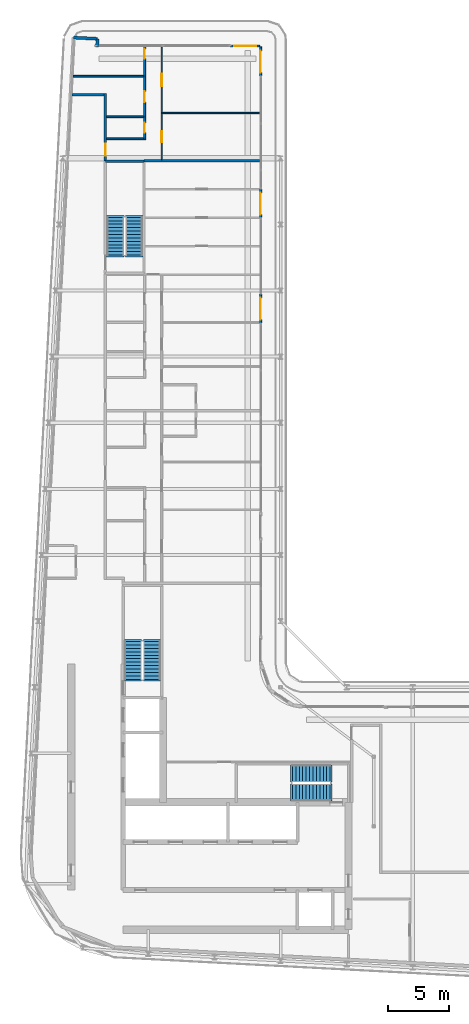
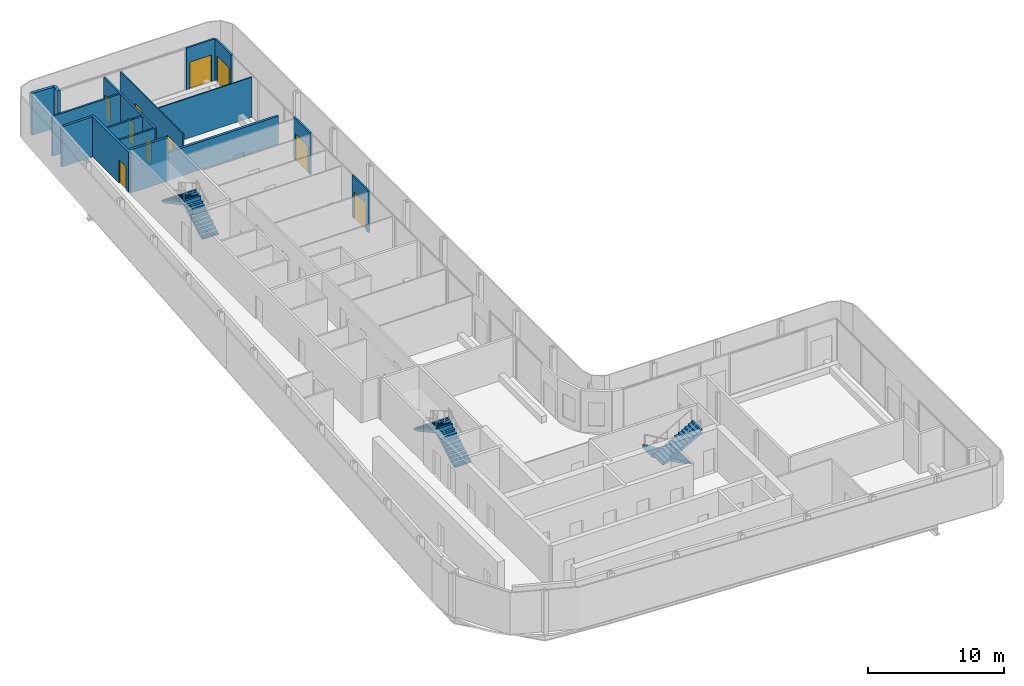
# One storey, part 14 of 20: 16 walls, 10 doors, 6 stair flights, 10 openings, 3 elements without a shape of their own.
"""IFC4 building model written with IfcOpenShell, lengths in metres."""

from ifc_helpers import new_model, si_unit, direction, frame, frame_2d, origin, place, context, subcontext, project, spatial, polyline, rectangle, outline, extrude, source, transform, mapped, material, layer, layer_set, type_object, element, fill, aggregate, save


model = new_model("IFC4")

# Units and contexts
model_context = context("Model", 3, precision=1e-05, world=origin(), true_north=direction((0.0, 1.0)))
body_context = subcontext(model_context, "Body", "Model", "MODEL_VIEW")
ifc_project = project(units=[si_unit("LENGTHUNIT", "METRE"), si_unit("AREAUNIT", "SQUARE_METRE"), si_unit("VOLUMEUNIT", "CUBIC_METRE"), si_unit("PLANEANGLEUNIT", "RADIAN"), si_unit("MASSUNIT", "GRAM", prefix="KILO")], contexts=[model_context])

# Site, building, storey
site_placement = place(None, origin())
site = spatial("IfcSite", under=ifc_project, at=site_placement, CompositionType="ELEMENT")
building_placement = place(site_placement, origin())
building = spatial("IfcBuilding", under=site, at=building_placement, Name="Kheshtan School and Residences Tower", CompositionType="ELEMENT")
storey_placement = place(building_placement, frame((0.0, 0.0, 286.39990234375)))
storey = spatial("IfcBuildingStorey", under=building, at=storey_placement, Name="L67", CompositionType="ELEMENT", Elevation=286.39990234375)

# Wall
ifc_material_1 = material(Name="Gypsum board on steel studs with fire boards", Category="steel")
ifc_layer_1 = layer(ifc_material_1, 0.199951171875)
ifc_layer_set_1 = layer_set([ifc_layer_1], Name="Corridor wall 200")
wall_type_1 = type_object("IfcWallType", Name="Corridor wall 200", PredefinedType="PARTITIONING", material=ifc_layer_set_1)
wall_1_placement = place(storey_placement, frame((30.584716796875, 94.0, 0.0), z_axis=(0.0, 0.0, 1.0), x_axis=(1.0, 0.0, 0.0)))
element("IfcWall", 1, at=wall_1_placement, inside=storey, type_object=wall_type_1, Name="Partition L67-002", PredefinedType="PARTITIONING", context=body_context, shape_type="SweptSolid", body=[
    extrude(rectangle(XDim=2.615234375, YDim=0.199951171875, at=frame_2d((1.3076171875, 0.0))), origin(), (0.0, 0.0, 1.0), 3.60009765625),
])

# Wall, opening, door
wall_2_placement = place(storey_placement, frame((33.300048828125, 88.60009765625, 0.0), z_axis=(0.0, 0.0, 1.0), x_axis=(0.0, 1.0, 0.0)))
wall_2 = element("IfcWall", 2, at=wall_2_placement, inside=storey, type_object=wall_type_1, Name="Partition L67-004", PredefinedType="PARTITIONING", context=body_context, shape_type="SweptSolid", body=[
    extrude(rectangle(XDim=5.5, YDim=0.199951171875, at=frame_2d((2.75, 0.0))), origin(), (0.0, 0.0, 1.0), 3.60009765625),
])
opening_1_placement = place(wall_2_placement, frame((0.39990234375, 0.0, 0.0)))
opening_1 = element("IfcOpeningElement", 3, at=opening_1_placement, cuts=wall_2, Name="Opening D66-023", PredefinedType="OPENING", context=body_context, shape_type="SweptSolid", body=[
    extrude(rectangle(XDim=1.0, YDim=2.10009765625, at=frame_2d((0.5, 1.050048828125))), frame((0.0, 0.10986328125, 0.0), z_axis=(0.0, -1.0, 0.0), x_axis=(1.0, 0.0, 0.0)), (0.0, 0.0, 1.0), 0.219970703125),
])
ifc_material_2 = material(Name="Steel-framed fire-resisting door leaf", Category="steel")
door_type_1 = type_object("IfcDoorType", Name="Fire door FD30S 1000 x 2100", OperationType="SINGLE_SWING_LEFT", PredefinedType="DOOR", material=ifc_material_2)
shared_shape_1 = source(origin(), body_context, "Body", "SweptSolid", [
    extrude(rectangle(XDim=1.0, YDim=2.10009765625, at=frame_2d((0.5, 1.050048828125))), frame((0.0, 0.02490234375, 0.0), z_axis=(0.0, -1.0, 0.0), x_axis=(1.0, 0.0, 0.0)), (0.0, 0.0, 1.0), 0.050048828125),
])
door_1_placement = place(opening_1_placement, origin())
door_1 = element("IfcDoor", 4, at=door_1_placement, inside=storey, type_object=door_type_1, Name="Door D66-023", OperationType="SINGLE_SWING_LEFT", OverallHeight=2.10009765625, OverallWidth=1.0, PredefinedType="DOOR", context=body_context, shape_type="MappedRepresentation", body=[
    mapped(shared_shape_1, transform((0.0, 0.0, 0.0), x_axis=(1.0, 0.0, 0.0), y_axis=(0.0, 1.0, 0.0), z_axis=(0.0, 0.0, 1.0), scale=1.0)),
])
fill(opening_1, door_1)

# Walls
ifc_material_3 = material(Name="Concrete C40/50 with ceramic cladding and mineral wool insulation", Category="concrete")
ifc_layer_2 = layer(ifc_material_3, 0.25)
ifc_layer_set_2 = layer_set([ifc_layer_2], Name="External wall 250 ceramic clad")
wall_type_2 = type_object("IfcWallType", Name="External wall 250 ceramic clad", PredefinedType="SOLIDWALL", material=ifc_layer_set_2)
wall_3_placement = place(storey_placement, frame((30.705078125, 98.6640625, 0.0), z_axis=(0.0, 0.0, 1.0), x_axis=(0.998577785791, -0.053314216913, 0.0)))
element("IfcWall", 5, at=wall_3_placement, inside=storey, type_object=wall_type_2, Name="External wall L67 5", PredefinedType="SOLIDWALL", context=body_context, shape_type="SweptSolid", body=[
    extrude(rectangle(XDim=1.95068359375, YDim=0.25, at=frame_2d((0.975341796875, 0.0))), origin(), (0.0, 0.0, 1.0), 3.75),
])
wall_4_placement = place(storey_placement, frame((32.653076171875, 98.56005859375, 0.0), z_axis=(0.0, 0.0, 1.0), x_axis=(-0.054093451632, -0.998535877418, 0.0)))
element("IfcWall", 6, at=wall_4_placement, inside=storey, type_object=wall_type_2, Name="External wall L67 6", PredefinedType="SOLIDWALL", context=body_context, shape_type="SweptSolid", body=[
    extrude(rectangle(XDim=0.66796875, YDim=0.25, at=frame_2d((0.333984375, 0.0))), origin(), (0.0, 0.0, 1.0), 3.75),
])

# Wall, opening, door
ifc_material_4 = material(Name="Aluminium frame wall with insulated infill", Category="aluminium")
ifc_layer_3 = layer(ifc_material_4, 0.14990234375)
ifc_layer_set_3 = layer_set([ifc_layer_3], Name="Glazing frame wall 150")
wall_type_3 = type_object("IfcWallType", Name="Glazing frame wall 150", PredefinedType="SOLIDWALL", material=ifc_layer_set_3)
wall_5_placement = place(storey_placement, frame((43.5, 97.97509765625, 0.0), z_axis=(0.0, 0.0, 1.0), x_axis=(1.0, 0.0, 0.0)))
wall_5 = element("IfcWall", 7, at=wall_5_placement, inside=storey, type_object=wall_type_3, Name="Balcony door wall L67 7.1", PredefinedType="SOLIDWALL", context=body_context, shape_type="SweptSolid", body=[
    extrude(rectangle(XDim=2.39990234375, YDim=0.14990234375, at=frame_2d((1.199951171875, 0.0))), origin(), (0.0, 0.0, 1.0), 3.75),
])
opening_2_placement = place(wall_5_placement, frame((0.300048828125, 0.0, 0.0)))
opening_2 = element("IfcOpeningElement", 8, at=opening_2_placement, cuts=wall_5, Name="Opening BD", PredefinedType="OPENING", context=body_context, shape_type="SweptSolid", body=[
    extrude(rectangle(XDim=1.800048828125, YDim=2.39990234375, at=frame_2d((0.89990234375, 1.199951171875))), frame((0.0, 0.0849609375, 0.0), z_axis=(0.0, -1.0, 0.0), x_axis=(1.0, 0.0, 0.0)), (0.0, 0.0, 1.0), 0.169921875),
])
ifc_material_5 = material(Name="Clear low-e glass in thermally broken aluminium frame", Category="aluminium")
door_type_2 = type_object("IfcDoorType", Name="Balcony sliding door", OperationType="SLIDING_TO_LEFT", PredefinedType="DOOR", material=ifc_material_5)
shared_shape_2 = source(origin(), body_context, "Body", "SweptSolid", [
    extrude(rectangle(XDim=1.800048828125, YDim=2.39990234375, at=frame_2d((0.89990234375, 1.199951171875))), frame((0.0, 0.02490234375, 0.0), z_axis=(0.0, -1.0, 0.0), x_axis=(1.0, 0.0, 0.0)), (0.0, 0.0, 1.0), 0.050048828125),
])
door_2_placement = place(opening_2_placement, origin())
door_2 = element("IfcDoor", 9, at=door_2_placement, inside=storey, type_object=door_type_2, Name="Balcony door L67 7.1", OperationType="SLIDING_TO_LEFT", OverallHeight=2.39990234375, OverallWidth=1.800048828125, PredefinedType="DOOR", context=body_context, shape_type="MappedRepresentation", body=[
    mapped(shared_shape_2, transform((0.0, 0.0, 0.0), x_axis=(1.0, 0.0, 0.0), y_axis=(0.0, 1.0, 0.0), z_axis=(0.0, 0.0, 1.0), scale=1.0)),
])
fill(opening_2, door_2)

wall_6_placement = place(storey_placement, frame((45.97509765625, 97.89990234375, 0.0), z_axis=(0.0, 0.0, 1.0), x_axis=(0.0, -1.0, 0.0)))
wall_6 = element("IfcWall", 10, at=wall_6_placement, inside=storey, type_object=wall_type_3, Name="Balcony door wall L67 8.1", PredefinedType="SOLIDWALL", context=body_context, shape_type="SweptSolid", body=[
    extrude(rectangle(XDim=2.39990234375, YDim=0.14990234375, at=frame_2d((1.199951171875, 0.0))), origin(), (0.0, 0.0, 1.0), 3.75),
])
opening_3_placement = place(wall_6_placement, frame((0.300048828125, 0.0, 0.0)))
opening_3 = element("IfcOpeningElement", 11, at=opening_3_placement, cuts=wall_6, Name="Opening BD", PredefinedType="OPENING", context=body_context, shape_type="SweptSolid", body=[
    extrude(rectangle(XDim=1.800048828125, YDim=2.39990234375, at=frame_2d((0.89990234375, 1.199951171875))), frame((0.0, 0.0849609375, 0.0), z_axis=(0.0, -1.0, 0.0), x_axis=(1.0, 0.0, 0.0)), (0.0, 0.0, 1.0), 0.169921875),
])
door_3_placement = place(opening_3_placement, origin())
door_3 = element("IfcDoor", 12, at=door_3_placement, inside=storey, type_object=door_type_2, Name="Balcony door L67 8.1", OperationType="SLIDING_TO_LEFT", OverallHeight=2.39990234375, OverallWidth=1.800048828125, PredefinedType="DOOR", context=body_context, shape_type="MappedRepresentation", body=[
    mapped(shared_shape_2, transform((0.0, 0.0, 0.0), x_axis=(1.0, 0.0, 0.0), y_axis=(0.0, 1.0, 0.0), z_axis=(0.0, 0.0, 1.0), scale=1.0)),
])
fill(opening_3, door_3)

wall_7_placement = place(storey_placement, frame((45.97509765625, 86.305908203125, 0.0), z_axis=(0.0, 0.0, 1.0), x_axis=(0.0, -1.0, 0.0)))
wall_7 = element("IfcWall", 13, at=wall_7_placement, inside=storey, type_object=wall_type_3, Name="Balcony door wall L67 8.2", PredefinedType="SOLIDWALL", context=body_context, shape_type="SweptSolid", body=[
    extrude(rectangle(XDim=2.39990234375, YDim=0.14990234375, at=frame_2d((1.199951171875, 0.0))), origin(), (0.0, 0.0, 1.0), 3.75),
])
opening_4_placement = place(wall_7_placement, frame((0.300048828125, 0.0, 0.0)))
opening_4 = element("IfcOpeningElement", 14, at=opening_4_placement, cuts=wall_7, Name="Opening BD", PredefinedType="OPENING", context=body_context, shape_type="SweptSolid", body=[
    extrude(rectangle(XDim=1.800048828125, YDim=2.39990234375, at=frame_2d((0.89990234375, 1.199951171875))), frame((0.0, 0.0849609375, 0.0), z_axis=(0.0, -1.0, 0.0), x_axis=(1.0, 0.0, 0.0)), (0.0, 0.0, 1.0), 0.169921875),
])
door_4_placement = place(opening_4_placement, origin())
door_4 = element("IfcDoor", 15, at=door_4_placement, inside=storey, type_object=door_type_2, Name="Balcony door L67 8.2", OperationType="SLIDING_TO_LEFT", OverallHeight=2.39990234375, OverallWidth=1.800048828125, PredefinedType="DOOR", context=body_context, shape_type="MappedRepresentation", body=[
    mapped(shared_shape_2, transform((0.0, 0.0, 0.0), x_axis=(1.0, 0.0, 0.0), y_axis=(0.0, 1.0, 0.0), z_axis=(0.0, 0.0, 1.0), scale=1.0)),
])
fill(opening_4, door_4)

wall_8_placement = place(storey_placement, frame((45.97509765625, 77.7119140625, 0.0), z_axis=(0.0, 0.0, 1.0), x_axis=(0.0, -1.0, 0.0)))
wall_8 = element("IfcWall", 16, at=wall_8_placement, inside=storey, type_object=wall_type_3, Name="Balcony door wall L67 8.3", PredefinedType="SOLIDWALL", context=body_context, shape_type="SweptSolid", body=[
    extrude(rectangle(XDim=2.39990234375, YDim=0.14990234375, at=frame_2d((1.199951171875, 0.0))), origin(), (0.0, 0.0, 1.0), 3.75),
])
opening_5_placement = place(wall_8_placement, frame((0.300048828125, 0.0, 0.0)))
opening_5 = element("IfcOpeningElement", 17, at=opening_5_placement, cuts=wall_8, Name="Opening BD", PredefinedType="OPENING", context=body_context, shape_type="SweptSolid", body=[
    extrude(rectangle(XDim=1.800048828125, YDim=2.39990234375, at=frame_2d((0.89990234375, 1.199951171875))), frame((0.0, 0.0849609375, 0.0), z_axis=(0.0, -1.0, 0.0), x_axis=(1.0, 0.0, 0.0)), (0.0, 0.0, 1.0), 0.169921875),
])
door_5_placement = place(opening_5_placement, origin())
door_5 = element("IfcDoor", 18, at=door_5_placement, inside=storey, type_object=door_type_2, Name="Balcony door L67 8.3", OperationType="SLIDING_TO_LEFT", OverallHeight=2.39990234375, OverallWidth=1.800048828125, PredefinedType="DOOR", context=body_context, shape_type="MappedRepresentation", body=[
    mapped(shared_shape_2, transform((0.0, 0.0, 0.0), x_axis=(1.0, 0.0, 0.0), y_axis=(0.0, 1.0, 0.0), z_axis=(0.0, 0.0, 1.0), scale=1.0)),
])
fill(opening_5, door_5)

# Wall, openings, doors
ifc_material_6 = material(Name="Gypsum board on steel studs", Category="steel")
ifc_layer_4 = layer(ifc_material_6, 0.10009765625)
ifc_layer_set_4 = layer_set([ifc_layer_4], Name="Gypsum partition 100")
wall_type_4 = type_object("IfcWallType", Name="Gypsum partition 100", PredefinedType="PARTITIONING", material=ifc_layer_set_4)
wall_9_placement = place(storey_placement, frame((37.89990234375, 88.699951171875, 0.0), z_axis=(0.0, 0.0, 1.0), x_axis=(0.0, 1.0, 0.0)))
wall_9 = element("IfcWall", 19, at=wall_9_placement, inside=storey, type_object=wall_type_4, Name="Partition L67-028", PredefinedType="PARTITIONING", context=body_context, shape_type="SweptSolid", body=[
    extrude(rectangle(XDim=9.199951171875, YDim=0.10009765625, at=frame_2d((4.60009765625, 0.0))), origin(), (0.0, 0.0, 1.0), 3.60009765625),
])
opening_6_placement = place(wall_9_placement, frame((1.39990234375, 0.0, 0.0)))
opening_6 = element("IfcOpeningElement", 20, at=opening_6_placement, cuts=wall_9, Name="Opening D66-022", PredefinedType="OPENING", context=body_context, shape_type="SweptSolid", body=[
    extrude(rectangle(XDim=0.89990234375, YDim=2.10009765625, at=frame_2d((0.449951171875, 1.050048828125))), frame((0.0, 0.06005859375, 0.0), z_axis=(0.0, -1.0, 0.0), x_axis=(1.0, 0.0, 0.0)), (0.0, 0.0, 1.0), 0.1201171875),
])
opening_7_placement = place(wall_9_placement, frame((6.0, 0.0, 0.0)))
opening_7 = element("IfcOpeningElement", 21, at=opening_7_placement, cuts=wall_9, Name="Opening D66-025", PredefinedType="OPENING", context=body_context, shape_type="SweptSolid", body=[
    extrude(rectangle(XDim=1.0, YDim=2.10009765625, at=frame_2d((0.5, 1.050048828125))), frame((0.0, 0.06005859375, 0.0), z_axis=(0.0, -1.0, 0.0), x_axis=(1.0, 0.0, 0.0)), (0.0, 0.0, 1.0), 0.1201171875),
])
ifc_material_7 = material(Name="Veneered timber door leaf", Category="wood")
door_type_3 = type_object("IfcDoorType", Name="Door 1000 x 2100", OperationType="SINGLE_SWING_LEFT", PredefinedType="DOOR", material=ifc_material_7)
shared_shape_3 = source(origin(), body_context, "Body", "SweptSolid", [
    extrude(rectangle(XDim=1.0, YDim=2.10009765625, at=frame_2d((0.5, 1.050048828125))), frame((0.0, 0.02490234375, 0.0), z_axis=(0.0, -1.0, 0.0), x_axis=(1.0, 0.0, 0.0)), (0.0, 0.0, 1.0), 0.050048828125),
])
door_6_placement = place(opening_7_placement, origin())
door_6 = element("IfcDoor", 22, at=door_6_placement, inside=storey, type_object=door_type_3, Name="Door D66-025", OperationType="SINGLE_SWING_RIGHT", OverallHeight=2.10009765625, OverallWidth=1.0, PredefinedType="DOOR", context=body_context, shape_type="MappedRepresentation", body=[
    mapped(shared_shape_3, transform((0.0, 0.0, 0.0), x_axis=(1.0, 0.0, 0.0), y_axis=(0.0, 1.0, 0.0), z_axis=(0.0, 0.0, 1.0), scale=1.0)),
])
fill(opening_7, door_6)
door_type_4 = type_object("IfcDoorType", Name="Door 900 x 2100", OperationType="SINGLE_SWING_LEFT", PredefinedType="DOOR", material=ifc_material_7)
shared_shape_4 = source(origin(), body_context, "Body", "SweptSolid", [
    extrude(rectangle(XDim=0.89990234375, YDim=2.10009765625, at=frame_2d((0.449951171875, 1.050048828125))), frame((0.0, 0.02490234375, 0.0), z_axis=(0.0, -1.0, 0.0), x_axis=(1.0, 0.0, 0.0)), (0.0, 0.0, 1.0), 0.050048828125),
])
door_7_placement = place(opening_6_placement, origin())
door_7 = element("IfcDoor", 23, at=door_7_placement, inside=storey, type_object=door_type_4, Name="Door D66-022", OperationType="SINGLE_SWING_LEFT", OverallHeight=2.10009765625, OverallWidth=0.89990234375, PredefinedType="DOOR", context=body_context, shape_type="MappedRepresentation", body=[
    mapped(shared_shape_4, transform((0.0, 0.0, 0.0), x_axis=(1.0, 0.0, 0.0), y_axis=(0.0, 1.0, 0.0), z_axis=(0.0, 0.0, 1.0), scale=1.0)),
])
fill(opening_6, door_7)

# Walls
wall_10_placement = place(storey_placement, frame((37.949951171875, 92.5, 0.0), z_axis=(0.0, 0.0, 1.0), x_axis=(1.0, 0.0, 0.0)))
element("IfcWall", 24, at=wall_10_placement, inside=storey, type_object=wall_type_4, Name="Partition L67-029", PredefinedType="PARTITIONING", context=body_context, shape_type="SweptSolid", body=[
    extrude(rectangle(XDim=7.949951171875, YDim=0.10009765625, at=frame_2d((3.97509765625, 0.0))), origin(), (0.0, 0.0, 1.0), 3.60009765625),
])
ifc_material_8 = material(Name="Concrete C40/50", Category="concrete")
ifc_layer_5 = layer(ifc_material_8, 0.199951171875)
ifc_layer_set_5 = layer_set([ifc_layer_5], Name="Stair enclosure wall 200 Concrete C40/50")
wall_type_5 = type_object("IfcWallType", Name="Stair enclosure wall 200 Concrete C40/50", PredefinedType="SHEAR", material=ifc_layer_set_5)
wall_11_placement = place(storey_placement, frame((33.300048828125, 88.56005859375, 0.0), z_axis=(0.0, 0.0, 1.0), x_axis=(1.0, 0.0, 0.0)))
element("IfcWall", 25, at=wall_11_placement, inside=storey, type_object=wall_type_5, Name="Stair enclosure wall ST3", PredefinedType="SHEAR", context=body_context, shape_type="SweptSolid", body=[
    extrude(rectangle(XDim=3.14990234375, YDim=0.199951171875, at=frame_2d((1.574951171875, 0.0))), origin(), (0.0, 0.0, 1.0), 3.900146484375),
])
ifc_material_9 = material(Name="Twin gypsum board on steel studs with mineral wool", Category="steel")
ifc_layer_6 = layer(ifc_material_9, 0.199951171875)
ifc_layer_set_6 = layer_set([ifc_layer_6], Name="Unit demising wall 200")
wall_type_6 = type_object("IfcWallType", Name="Unit demising wall 200", PredefinedType="PARTITIONING", material=ifc_layer_set_6)
wall_12_placement = place(storey_placement, frame((36.449951171875, 88.60009765625, 0.0), z_axis=(0.0, 0.0, 1.0), x_axis=(1.0, 0.0, 0.0)))
element("IfcWall", 26, at=wall_12_placement, inside=storey, type_object=wall_type_6, Name="Partition L67-021", PredefinedType="PARTITIONING", context=body_context, shape_type="SweptSolid", body=[
    extrude(rectangle(XDim=9.449951171875, YDim=0.199951171875, at=frame_2d((4.72509765625, 0.0))), origin(), (0.0, 0.0, 1.0), 2.5),
])
ifc_material_10 = material(Name="Moisture-resistant gypsum board on steel studs", Category="steel")
ifc_layer_7 = layer(ifc_material_10, 0.14990234375)
ifc_layer_set_7 = layer_set([ifc_layer_7], Name="Wet-room partition 150")
wall_type_7 = type_object("IfcWallType", Name="Wet-room partition 150", PredefinedType="PARTITIONING", material=ifc_layer_set_7)
wall_13_placement = place(storey_placement, frame((30.6640625, 95.5, 0.0), z_axis=(0.0, 0.0, 1.0), x_axis=(1.0, 0.0, 0.0)))
element("IfcWall", 27, at=wall_13_placement, inside=storey, type_object=wall_type_7, Name="Partition L67-001", PredefinedType="PARTITIONING", context=body_context, shape_type="SweptSolid", body=[
    extrude(rectangle(XDim=5.760986328125, YDim=0.14990234375, at=frame_2d((2.88037109375, 0.0))), origin(), (0.0, 0.0, 1.0), 3.60009765625),
])
for number, where, z_axis, x_axis, name in (
    (28, (33.39990234375, 90.39990234375, 0.0), (0.0, 0.0, 1.0), (1.0, 0.0, 0.0), "Partition L67-014"),
    (29, (33.39990234375, 92.199951171875, 0.0), (0.0, 0.0, 1.0), (1.0, 0.0, 0.0), "Partition L67-015"),
):
    element("IfcWall", number, at=place(storey_placement, frame(where, z_axis=z_axis, x_axis=x_axis)), inside=storey, type_object=wall_type_7, Name=name, PredefinedType="PARTITIONING", context=body_context, shape_type="SweptSolid", body=[
        extrude(rectangle(XDim=3.025146484375, YDim=0.14990234375, at=frame_2d((1.5126953125, 0.0))), origin(), (0.0, 0.0, 1.0), 3.60009765625),
    ])

# Wall, openings, doors
wall_14_placement = place(storey_placement, frame((36.5, 90.324951171875, 0.0), z_axis=(0.0, 0.0, 1.0), x_axis=(0.0, 1.0, 0.0)))
wall_14 = element("IfcWall", 30, at=wall_14_placement, inside=storey, type_object=wall_type_7, Name="Partition L67-022", PredefinedType="PARTITIONING", context=body_context, shape_type="SweptSolid", body=[
    extrude(rectangle(XDim=7.574951171875, YDim=0.14990234375, at=frame_2d((3.78759765625, 0.0))), origin(), (0.0, 0.0, 1.0), 3.60009765625),
])
opening_8_placement = place(wall_14_placement, frame((6.625, 0.0, 0.0)))
opening_8 = element("IfcOpeningElement", 31, at=opening_8_placement, cuts=wall_14, Name="Opening D66-021", PredefinedType="OPENING", context=body_context, shape_type="SweptSolid", body=[
    extrude(rectangle(XDim=0.800048828125, YDim=2.10009765625, at=frame_2d((0.39990234375, 1.050048828125))), frame((0.0, 0.0849609375, 0.0), z_axis=(0.0, -1.0, 0.0), x_axis=(1.0, 0.0, 0.0)), (0.0, 0.0, 1.0), 0.169921875),
])
opening_9_placement = place(wall_14_placement, frame((3.074951171875, 0.0, 0.0)))
opening_9 = element("IfcOpeningElement", 32, at=opening_9_placement, cuts=wall_14, Name="Opening D66-024", PredefinedType="OPENING", context=body_context, shape_type="SweptSolid", body=[
    extrude(rectangle(XDim=0.89990234375, YDim=2.10009765625, at=frame_2d((0.449951171875, 1.050048828125))), frame((0.0, 0.0849609375, 0.0), z_axis=(0.0, -1.0, 0.0), x_axis=(1.0, 0.0, 0.0)), (0.0, 0.0, 1.0), 0.169921875),
])
opening_10_placement = place(wall_14_placement, frame((0.574951171875, 0.0, 0.0)))
opening_10 = element("IfcOpeningElement", 33, at=opening_10_placement, cuts=wall_14, Name="Opening D66-026", PredefinedType="OPENING", context=body_context, shape_type="SweptSolid", body=[
    extrude(rectangle(XDim=0.800048828125, YDim=2.10009765625, at=frame_2d((0.39990234375, 1.050048828125))), frame((0.0, 0.0849609375, 0.0), z_axis=(0.0, -1.0, 0.0), x_axis=(1.0, 0.0, 0.0)), (0.0, 0.0, 1.0), 0.169921875),
])
door_type_5 = type_object("IfcDoorType", Name="Door 800 x 2100", OperationType="SINGLE_SWING_LEFT", PredefinedType="DOOR", material=ifc_material_7)
shared_shape_5 = source(origin(), body_context, "Body", "SweptSolid", [
    extrude(rectangle(XDim=0.800048828125, YDim=2.10009765625, at=frame_2d((0.39990234375, 1.050048828125))), frame((0.0, 0.02490234375, 0.0), z_axis=(0.0, -1.0, 0.0), x_axis=(1.0, 0.0, 0.0)), (0.0, 0.0, 1.0), 0.050048828125),
])
door_8_placement = place(opening_8_placement, origin())
door_8 = element("IfcDoor", 34, at=door_8_placement, inside=storey, type_object=door_type_5, Name="Door D66-021", OperationType="SINGLE_SWING_LEFT", OverallHeight=2.10009765625, OverallWidth=0.800048828125, PredefinedType="DOOR", context=body_context, shape_type="MappedRepresentation", body=[
    mapped(shared_shape_5, transform((0.0, 0.0, 0.0), x_axis=(1.0, 0.0, 0.0), y_axis=(0.0, 1.0, 0.0), z_axis=(0.0, 0.0, 1.0), scale=1.0)),
])
fill(opening_8, door_8)
door_9_placement = place(opening_10_placement, origin())
door_9 = element("IfcDoor", 35, at=door_9_placement, inside=storey, type_object=door_type_5, Name="Door D66-026", OperationType="SINGLE_SWING_RIGHT", OverallHeight=2.10009765625, OverallWidth=0.800048828125, PredefinedType="DOOR", context=body_context, shape_type="MappedRepresentation", body=[
    mapped(shared_shape_5, transform((0.0, 0.0, 0.0), x_axis=(1.0, 0.0, 0.0), y_axis=(0.0, 1.0, 0.0), z_axis=(0.0, 0.0, 1.0), scale=1.0)),
])
fill(opening_10, door_9)
door_10_placement = place(opening_9_placement, origin())
door_10 = element("IfcDoor", 36, at=door_10_placement, inside=storey, type_object=door_type_4, Name="Door D66-024", OperationType="SINGLE_SWING_LEFT", OverallHeight=2.10009765625, OverallWidth=0.89990234375, PredefinedType="DOOR", context=body_context, shape_type="MappedRepresentation", body=[
    mapped(shared_shape_4, transform((0.0, 0.0, 0.0), x_axis=(1.0, 0.0, 0.0), y_axis=(0.0, 1.0, 0.0), z_axis=(0.0, 0.0, 1.0), scale=1.0)),
])
fill(opening_9, door_10)

# Stair, stair flights
stair_type = type_object("IfcStairType", Name="Exit stair, half-turn", PredefinedType="HALF_TURN_STAIR", material=ifc_material_8)
stair_1_placement = place(storey_placement, origin())
stair_1 = element("IfcStair", 37, at=stair_1_placement, inside=storey, type_object=stair_type, Name="L67 Protected Exit Stair ST1", PredefinedType="HALF_TURN_STAIR")
ifc_layer_8 = layer(ifc_material_8, 0.14990234375)
ifc_layer_set_8 = layer_set([ifc_layer_8], Name="Stair flight 1400 Concrete C40/50")
stair_flight_type = type_object("IfcStairFlightType", Name="Stair flight 1400 Concrete C40/50", PredefinedType="STRAIGHT", material=ifc_layer_set_8)
stair_flight_1_placement = place(storey_placement, frame((51.64990234375, 38.550048828125, 0.0), z_axis=(0.0, 0.0, 1.0), x_axis=(-1.0, 0.0, 0.0)))
stair_flight_1 = element("IfcStairFlight", 38, at=stair_flight_1_placement, type_object=stair_flight_type, Name="ST1 flight 1", NumberOfRisers=12, NumberOfTreads=11, PredefinedType="STRAIGHT", RiserHeight=0.1625, TreadLength=0.28, context=body_context, shape_type="SweptSolid", body=[
    extrude(outline(polyline([(-0.14990234375, -0.10009765625), (-0.14990234375, 0.0), (0.0, 0.0), (0.0, 0.16259765625), (0.280029296875, 0.16259765625), (0.280029296875, 0.324951171875), (0.56005859375, 0.324951171875), (0.56005859375, 0.487548828125), (0.840087890625, 0.487548828125), (0.840087890625, 0.64990234375), (1.1201171875, 0.64990234375), (1.1201171875, 0.8125), (1.39990234375, 0.8125), (1.39990234375, 0.97509765625), (1.679931640625, 0.97509765625), (1.679931640625, 1.137451171875), (1.9599609375, 1.137451171875), (1.9599609375, 1.300048828125), (2.239990234375, 1.300048828125), (2.239990234375, 1.46240234375), (2.52001953125, 1.46240234375), (2.52001953125, 1.625), (2.800048828125, 1.625), (2.800048828125, 1.78759765625), (3.080078125, 1.78759765625), (3.080078125, 1.949951171875), (3.080078125, 1.969970703125), (3.22998046875, 1.969970703125), (3.22998046875, 1.6142578125), (0.298583984375, 0.0), (-0.14990234375, -0.10009765625)])), frame((0.0, 0.699951171875, 0.0), z_axis=(0.0, -1.0, 0.0), x_axis=(1.0, 0.0, 0.0)), (0.0, 0.0, 1.0), 1.39990234375),
])
stair_flight_2_placement = place(storey_placement, frame((48.570068359375, 37.0, 1.9501953125), z_axis=(0.0, 0.0, 1.0), x_axis=(1.0, 0.0, 0.0)))
stair_flight_2 = element("IfcStairFlight", 39, at=stair_flight_2_placement, type_object=stair_flight_type, Name="ST1 flight 2", NumberOfRisers=12, NumberOfTreads=11, PredefinedType="STRAIGHT", RiserHeight=0.1625, TreadLength=0.28, context=body_context, shape_type="SweptSolid", body=[
    extrude(outline(polyline([(-0.14990234375, -0.10009765625), (-0.14990234375, 0.0), (0.0, 0.0), (0.0, 0.16259765625), (0.280029296875, 0.16259765625), (0.280029296875, 0.324951171875), (0.56005859375, 0.324951171875), (0.56005859375, 0.487548828125), (0.840087890625, 0.487548828125), (0.840087890625, 0.64990234375), (1.1201171875, 0.64990234375), (1.1201171875, 0.8125), (1.39990234375, 0.8125), (1.39990234375, 0.97509765625), (1.679931640625, 0.97509765625), (1.679931640625, 1.137451171875), (1.9599609375, 1.137451171875), (1.9599609375, 1.300048828125), (2.239990234375, 1.300048828125), (2.239990234375, 1.46240234375), (2.52001953125, 1.46240234375), (2.52001953125, 1.625), (2.800048828125, 1.625), (2.800048828125, 1.78759765625), (3.080078125, 1.78759765625), (3.080078125, 1.949951171875), (3.080078125, 1.969970703125), (3.22998046875, 1.969970703125), (3.22998046875, 1.6142578125), (0.298583984375, 0.0), (-0.14990234375, -0.10009765625)])), frame((0.0, 0.699951171875, 0.0), z_axis=(0.0, -1.0, 0.0), x_axis=(1.0, 0.0, 0.0)), (0.0, 0.0, 1.0), 1.39990234375),
])
aggregate(stair_1, [stair_flight_1, stair_flight_2])

stair_2_placement = place(storey_placement, origin())
stair_2 = element("IfcStair", 40, at=stair_2_placement, inside=storey, type_object=stair_type, Name="L67 Protected Exit Stair ST2", PredefinedType="HALF_TURN_STAIR")
stair_flight_3_placement = place(storey_placement, frame((37.10009765625, 46.25, 0.0), z_axis=(0.0, 0.0, 1.0), x_axis=(0.0, 1.0, 0.0)))
stair_flight_3 = element("IfcStairFlight", 41, at=stair_flight_3_placement, type_object=stair_flight_type, Name="ST2 flight 1", NumberOfRisers=12, NumberOfTreads=11, PredefinedType="STRAIGHT", RiserHeight=0.1625, TreadLength=0.28, context=body_context, shape_type="SweptSolid", body=[
    extrude(outline(polyline([(-0.14990234375, -0.10009765625), (-0.14990234375, 0.0), (0.0, 0.0), (0.0, 0.16259765625), (0.280029296875, 0.16259765625), (0.280029296875, 0.324951171875), (0.56005859375, 0.324951171875), (0.56005859375, 0.487548828125), (0.840087890625, 0.487548828125), (0.840087890625, 0.64990234375), (1.1201171875, 0.64990234375), (1.1201171875, 0.8125), (1.39990234375, 0.8125), (1.39990234375, 0.97509765625), (1.679931640625, 0.97509765625), (1.679931640625, 1.137451171875), (1.9599609375, 1.137451171875), (1.9599609375, 1.300048828125), (2.239990234375, 1.300048828125), (2.239990234375, 1.46240234375), (2.52001953125, 1.46240234375), (2.52001953125, 1.625), (2.800048828125, 1.625), (2.800048828125, 1.78759765625), (3.080078125, 1.78759765625), (3.080078125, 1.949951171875), (3.080078125, 1.969970703125), (3.22998046875, 1.969970703125), (3.22998046875, 1.6142578125), (0.298583984375, 0.0), (-0.14990234375, -0.10009765625)])), frame((0.0, 0.699951171875, 0.0), z_axis=(0.0, -1.0, 0.0), x_axis=(1.0, 0.0, 0.0)), (0.0, 0.0, 1.0), 1.39990234375),
])
stair_flight_4_placement = place(storey_placement, frame((35.550048828125, 49.330078125, 1.9501953125), z_axis=(0.0, 0.0, 1.0), x_axis=(0.0, -1.0, 0.0)))
stair_flight_4 = element("IfcStairFlight", 42, at=stair_flight_4_placement, type_object=stair_flight_type, Name="ST2 flight 2", NumberOfRisers=12, NumberOfTreads=11, PredefinedType="STRAIGHT", RiserHeight=0.1625, TreadLength=0.28, context=body_context, shape_type="SweptSolid", body=[
    extrude(outline(polyline([(-0.14990234375, -0.10009765625), (-0.14990234375, 0.0), (0.0, 0.0), (0.0, 0.16259765625), (0.280029296875, 0.16259765625), (0.280029296875, 0.324951171875), (0.56005859375, 0.324951171875), (0.56005859375, 0.487548828125), (0.840087890625, 0.487548828125), (0.840087890625, 0.64990234375), (1.1201171875, 0.64990234375), (1.1201171875, 0.8125), (1.39990234375, 0.8125), (1.39990234375, 0.97509765625), (1.679931640625, 0.97509765625), (1.679931640625, 1.137451171875), (1.9599609375, 1.137451171875), (1.9599609375, 1.300048828125), (2.239990234375, 1.300048828125), (2.239990234375, 1.46240234375), (2.52001953125, 1.46240234375), (2.52001953125, 1.625), (2.800048828125, 1.625), (2.800048828125, 1.78759765625), (3.080078125, 1.78759765625), (3.080078125, 1.949951171875), (3.080078125, 1.969970703125), (3.22998046875, 1.969970703125), (3.22998046875, 1.6142578125), (0.298583984375, 0.0), (-0.14990234375, -0.10009765625)])), frame((0.0, 0.699951171875, 0.0), z_axis=(0.0, -1.0, 0.0), x_axis=(1.0, 0.0, 0.0)), (0.0, 0.0, 1.0), 1.39990234375),
])
aggregate(stair_2, [stair_flight_3, stair_flight_4])

stair_3_placement = place(storey_placement, origin())
stair_3 = element("IfcStair", 43, at=stair_3_placement, inside=storey, type_object=stair_type, Name="L67 Protected Exit Stair ST3", PredefinedType="HALF_TURN_STAIR")
stair_flight_5_placement = place(storey_placement, frame((35.64990234375, 80.89990234375, 0.0), z_axis=(0.0, 0.0, 1.0), x_axis=(0.0, 1.0, 0.0)))
stair_flight_5 = element("IfcStairFlight", 44, at=stair_flight_5_placement, type_object=stair_flight_type, Name="ST3 flight 1", NumberOfRisers=12, NumberOfTreads=11, PredefinedType="STRAIGHT", RiserHeight=0.1625, TreadLength=0.28, context=body_context, shape_type="SweptSolid", body=[
    extrude(outline(polyline([(-0.14990234375, -0.10009765625), (-0.14990234375, 0.0), (0.0, 0.0), (0.0, 0.16259765625), (0.280029296875, 0.16259765625), (0.280029296875, 0.324951171875), (0.56005859375, 0.324951171875), (0.56005859375, 0.487548828125), (0.840087890625, 0.487548828125), (0.840087890625, 0.64990234375), (1.1201171875, 0.64990234375), (1.1201171875, 0.8125), (1.39990234375, 0.8125), (1.39990234375, 0.97509765625), (1.679931640625, 0.97509765625), (1.679931640625, 1.137451171875), (1.9599609375, 1.137451171875), (1.9599609375, 1.300048828125), (2.239990234375, 1.300048828125), (2.239990234375, 1.46240234375), (2.52001953125, 1.46240234375), (2.52001953125, 1.625), (2.800048828125, 1.625), (2.800048828125, 1.78759765625), (3.080078125, 1.78759765625), (3.080078125, 1.949951171875), (3.080078125, 1.969970703125), (3.22998046875, 1.969970703125), (3.22998046875, 1.6142578125), (0.298583984375, 0.0), (-0.14990234375, -0.10009765625)])), frame((0.0, 0.699951171875, 0.0), z_axis=(0.0, -1.0, 0.0), x_axis=(1.0, 0.0, 0.0)), (0.0, 0.0, 1.0), 1.39990234375),
])
stair_flight_6_placement = place(storey_placement, frame((34.10009765625, 83.97998046875, 1.9501953125), z_axis=(0.0, 0.0, 1.0), x_axis=(0.0, -1.0, 0.0)))
stair_flight_6 = element("IfcStairFlight", 45, at=stair_flight_6_placement, type_object=stair_flight_type, Name="ST3 flight 2", NumberOfRisers=12, NumberOfTreads=11, PredefinedType="STRAIGHT", RiserHeight=0.1625, TreadLength=0.28, context=body_context, shape_type="SweptSolid", body=[
    extrude(outline(polyline([(-0.14990234375, -0.10009765625), (-0.14990234375, 0.0), (0.0, 0.0), (0.0, 0.16259765625), (0.280029296875, 0.16259765625), (0.280029296875, 0.324951171875), (0.56005859375, 0.324951171875), (0.56005859375, 0.487548828125), (0.840087890625, 0.487548828125), (0.840087890625, 0.64990234375), (1.1201171875, 0.64990234375), (1.1201171875, 0.8125), (1.39990234375, 0.8125), (1.39990234375, 0.97509765625), (1.679931640625, 0.97509765625), (1.679931640625, 1.137451171875), (1.9599609375, 1.137451171875), (1.9599609375, 1.300048828125), (2.239990234375, 1.300048828125), (2.239990234375, 1.46240234375), (2.52001953125, 1.46240234375), (2.52001953125, 1.625), (2.800048828125, 1.625), (2.800048828125, 1.78759765625), (3.080078125, 1.78759765625), (3.080078125, 1.949951171875), (3.080078125, 1.969970703125), (3.22998046875, 1.969970703125), (3.22998046875, 1.6142578125), (0.298583984375, 0.0), (-0.14990234375, -0.10009765625)])), frame((0.0, 0.699951171875, 0.0), z_axis=(0.0, -1.0, 0.0), x_axis=(1.0, 0.0, 0.0)), (0.0, 0.0, 1.0), 1.39990234375),
])
aggregate(stair_3, [stair_flight_5, stair_flight_6])

save(model, "model.ifc")
